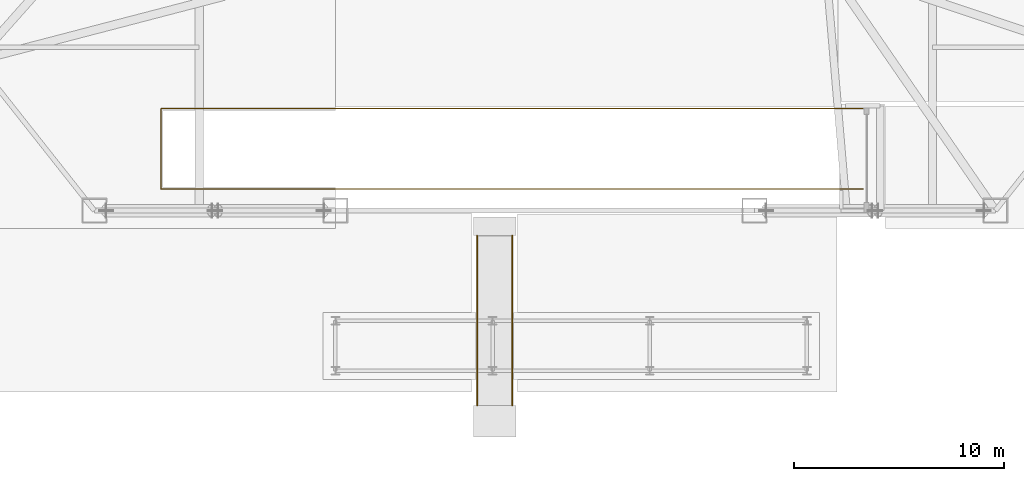
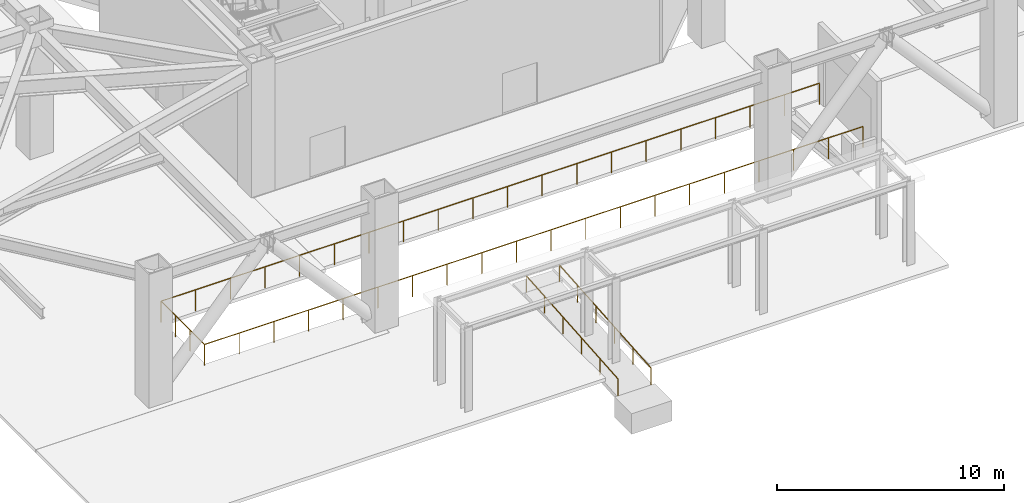
# One storey, part 12 of 14: 3 railings.
"""IFC4 building model written with IfcOpenShell, lengths in metres."""

from ifc_helpers import new_model, si_unit, direction, frame, origin, origin_2d, place, context, subcontext, project, spatial, circle, extrude, material, type_object, element, save


model = new_model("IFC4")

# Units and contexts
model_context = context("Model", 3, precision=1e-05, world=origin(), true_north=direction((0.0, 1.0)))
body_context = subcontext(model_context, "Body", "Model", "MODEL_VIEW")
ifc_project = project(units=[si_unit("LENGTHUNIT", "METRE"), si_unit("AREAUNIT", "SQUARE_METRE"), si_unit("VOLUMEUNIT", "CUBIC_METRE"), si_unit("PLANEANGLEUNIT", "RADIAN"), si_unit("MASSUNIT", "GRAM", prefix="KILO")], contexts=[model_context])

# Site, building, storey
site_placement = place(None, origin())
site = spatial("IfcSite", under=ifc_project, at=site_placement, CompositionType="ELEMENT")
building_placement = place(site_placement, origin())
building = spatial("IfcBuilding", under=site, at=building_placement, Name="Khamvora Tower", CompositionType="ELEMENT")
storey_placement = place(building_placement, origin())
storey = spatial("IfcBuildingStorey", under=building, at=storey_placement, Name="L00", CompositionType="ELEMENT", Elevation=0.0)

# Railings
ifc_material_1 = material(Name="Stainless Steel 316", Category="steel")
railing_type_1 = type_object("IfcRailingType", Name="RAL-EHDR-920", PredefinedType="HANDRAIL", material=ifc_material_1)
for number, where, name in (
    (1, (26.43994140625, -8.449951171875, -0.64990234375), "South Entrance Step-Free Accessible Ramp RMP-01 handrail 1"),
    (2, (24.760009765625, -8.449951171875, -0.64990234375), "South Entrance Step-Free Accessible Ramp RMP-01 handrail 2"),
):
    element("IfcRailing", number, at=place(storey_placement, frame(where)), inside=storey, type_object=railing_type_1, Name=name, PredefinedType="HANDRAIL", context=body_context, shape_type="SweptSolid", body=[
        extrude(circle(Radius=0.02392578125, at=origin_2d()), frame((0.0, 0.0, 0.89599609375), z_axis=(0.0, 0.996796526791, 0.079979273422), x_axis=(-1.0, 0.0, 0.0)), (0.0, 0.0, 1.0), 8.1259765625),
        extrude(circle(Radius=0.02099609375, at=origin_2d()), origin(), (0.0, 0.0, 1.0), 0.871826171875),
        extrude(circle(Radius=0.02099609375, at=origin_2d()), frame((0.0, 1.619873046875, 0.1298828125)), (0.0, 0.0, 1.0), 0.871826171875),
        extrude(circle(Radius=0.02099609375, at=origin_2d()), frame((0.0, 3.239990234375, 0.260009765625)), (0.0, 0.0, 1.0), 0.871826171875),
        extrude(circle(Radius=0.02099609375, at=origin_2d()), frame((0.0, 4.85986328125, 0.389892578125)), (0.0, 0.0, 1.0), 0.871826171875),
        extrude(circle(Radius=0.02099609375, at=origin_2d()), frame((0.0, 6.47998046875, 0.52001953125)), (0.0, 0.0, 1.0), 0.871826171875),
        extrude(circle(Radius=0.02099609375, at=origin_2d()), frame((0.0, 8.099853515625, 0.64990234375)), (0.0, 0.0, 1.0), 0.871826171875),
    ])
ifc_material_2 = material(Name="Laminated Structural Safety Glass and Stainless Steel", Category="steel")
railing_type_2 = type_object("IfcRailingType", Name="RAL-POOL-1150", PredefinedType="BALUSTRADE", material=ifc_material_2)
railing_placement = place(storey_placement, frame((43.179931640625, 1.8798828125, 0.0)))
element("IfcRailing", 3, at=railing_placement, inside=storey, type_object=railing_type_2, Name="L00 vehicle ramp trough perimeter safety balustrade", PredefinedType="BALUSTRADE", context=body_context, shape_type="SweptSolid", body=[
    extrude(circle(Radius=0.02392578125, at=origin_2d()), frame((0.0, 0.0, 1.1259765625), z_axis=(-1.0, 0.0, 0.0), x_axis=(0.0, -1.0, 0.0)), (0.0, 0.0, 1.0), 33.5),
    extrude(circle(Radius=0.02392578125, at=origin_2d()), frame((-33.5, 0.0, 1.1259765625), z_axis=(0.0, 1.0, 0.0), x_axis=(-1.0, 0.0, 0.0)), (0.0, 0.0, 1.0), 3.840087890625),
    extrude(circle(Radius=0.02392578125, at=origin_2d()), frame((-33.5, 3.840087890625, 1.1259765625), z_axis=(1.0, 0.0, 0.0), x_axis=(0.0, 1.0, 0.0)), (0.0, 0.0, 1.0), 33.5),
    extrude(circle(Radius=0.02099609375, at=origin_2d()), origin(), (0.0, 0.0, 1.0), 1.101806640625),
    extrude(circle(Radius=0.02099609375, at=origin_2d()), frame((-1.76318359375, 0.0, 0.0)), (0.0, 0.0, 1.0), 1.101806640625),
    extrude(circle(Radius=0.02099609375, at=origin_2d()), frame((-3.5263671875, 0.0, 0.0)), (0.0, 0.0, 1.0), 1.101806640625),
    extrude(circle(Radius=0.02099609375, at=origin_2d()), frame((-5.28955078125, 0.0, 0.0)), (0.0, 0.0, 1.0), 1.101806640625),
    extrude(circle(Radius=0.02099609375, at=origin_2d()), frame((-7.052734375, 0.0, 0.0)), (0.0, 0.0, 1.0), 1.101806640625),
    extrude(circle(Radius=0.02099609375, at=origin_2d()), frame((-8.815673828125, 0.0, 0.0)), (0.0, 0.0, 1.0), 1.101806640625),
    extrude(circle(Radius=0.02099609375, at=origin_2d()), frame((-10.578857421875, 0.0, 0.0)), (0.0, 0.0, 1.0), 1.101806640625),
    extrude(circle(Radius=0.02099609375, at=origin_2d()), frame((-12.342041015625, 0.0, 0.0)), (0.0, 0.0, 1.0), 1.101806640625),
    extrude(circle(Radius=0.02099609375, at=origin_2d()), frame((-14.105224609375, 0.0, 0.0)), (0.0, 0.0, 1.0), 1.101806640625),
    extrude(circle(Radius=0.02099609375, at=origin_2d()), frame((-15.868408203125, 0.0, 0.0)), (0.0, 0.0, 1.0), 1.101806640625),
    extrude(circle(Radius=0.02099609375, at=origin_2d()), frame((-17.631591796875, 0.0, 0.0)), (0.0, 0.0, 1.0), 1.101806640625),
    extrude(circle(Radius=0.02099609375, at=origin_2d()), frame((-19.394775390625, 0.0, 0.0)), (0.0, 0.0, 1.0), 1.101806640625),
    extrude(circle(Radius=0.02099609375, at=origin_2d()), frame((-21.157958984375, 0.0, 0.0)), (0.0, 0.0, 1.0), 1.101806640625),
    extrude(circle(Radius=0.02099609375, at=origin_2d()), frame((-22.921142578125, 0.0, 0.0)), (0.0, 0.0, 1.0), 1.101806640625),
    extrude(circle(Radius=0.02099609375, at=origin_2d()), frame((-24.684326171875, 0.0, 0.0)), (0.0, 0.0, 1.0), 1.101806640625),
    extrude(circle(Radius=0.02099609375, at=origin_2d()), frame((-26.447265625, 0.0, 0.0)), (0.0, 0.0, 1.0), 1.101806640625),
    extrude(circle(Radius=0.02099609375, at=origin_2d()), frame((-28.21044921875, 0.0, 0.0)), (0.0, 0.0, 1.0), 1.101806640625),
    extrude(circle(Radius=0.02099609375, at=origin_2d()), frame((-29.9736328125, 0.0, 0.0)), (0.0, 0.0, 1.0), 1.101806640625),
    extrude(circle(Radius=0.02099609375, at=origin_2d()), frame((-31.73681640625, 0.0, 0.0)), (0.0, 0.0, 1.0), 1.101806640625),
    extrude(circle(Radius=0.02099609375, at=origin_2d()), frame((-33.5, 0.0, 0.0)), (0.0, 0.0, 1.0), 1.101806640625),
    extrude(circle(Radius=0.02099609375, at=origin_2d()), frame((-33.5, 1.280029296875, 0.0)), (0.0, 0.0, 1.0), 1.101806640625),
    extrude(circle(Radius=0.02099609375, at=origin_2d()), frame((-33.5, 2.56005859375, 0.0)), (0.0, 0.0, 1.0), 1.101806640625),
    extrude(circle(Radius=0.02099609375, at=origin_2d()), frame((-33.5, 3.840087890625, 0.0)), (0.0, 0.0, 1.0), 1.101806640625),
    extrude(circle(Radius=0.02099609375, at=origin_2d()), frame((-31.73681640625, 3.840087890625, 0.0)), (0.0, 0.0, 1.0), 1.101806640625),
    extrude(circle(Radius=0.02099609375, at=origin_2d()), frame((-29.9736328125, 3.840087890625, 0.0)), (0.0, 0.0, 1.0), 1.101806640625),
    extrude(circle(Radius=0.02099609375, at=origin_2d()), frame((-28.21044921875, 3.840087890625, 0.0)), (0.0, 0.0, 1.0), 1.101806640625),
    extrude(circle(Radius=0.02099609375, at=origin_2d()), frame((-26.447265625, 3.840087890625, 0.0)), (0.0, 0.0, 1.0), 1.101806640625),
    extrude(circle(Radius=0.02099609375, at=origin_2d()), frame((-24.684326171875, 3.840087890625, 0.0)), (0.0, 0.0, 1.0), 1.101806640625),
    extrude(circle(Radius=0.02099609375, at=origin_2d()), frame((-22.921142578125, 3.840087890625, 0.0)), (0.0, 0.0, 1.0), 1.101806640625),
    extrude(circle(Radius=0.02099609375, at=origin_2d()), frame((-21.157958984375, 3.840087890625, 0.0)), (0.0, 0.0, 1.0), 1.101806640625),
    extrude(circle(Radius=0.02099609375, at=origin_2d()), frame((-19.394775390625, 3.840087890625, 0.0)), (0.0, 0.0, 1.0), 1.101806640625),
    extrude(circle(Radius=0.02099609375, at=origin_2d()), frame((-17.631591796875, 3.840087890625, 0.0)), (0.0, 0.0, 1.0), 1.101806640625),
    extrude(circle(Radius=0.02099609375, at=origin_2d()), frame((-15.868408203125, 3.840087890625, 0.0)), (0.0, 0.0, 1.0), 1.101806640625),
    extrude(circle(Radius=0.02099609375, at=origin_2d()), frame((-14.105224609375, 3.840087890625, 0.0)), (0.0, 0.0, 1.0), 1.101806640625),
    extrude(circle(Radius=0.02099609375, at=origin_2d()), frame((-12.342041015625, 3.840087890625, 0.0)), (0.0, 0.0, 1.0), 1.101806640625),
    extrude(circle(Radius=0.02099609375, at=origin_2d()), frame((-10.578857421875, 3.840087890625, 0.0)), (0.0, 0.0, 1.0), 1.101806640625),
    extrude(circle(Radius=0.02099609375, at=origin_2d()), frame((-8.815673828125, 3.840087890625, 0.0)), (0.0, 0.0, 1.0), 1.101806640625),
    extrude(circle(Radius=0.02099609375, at=origin_2d()), frame((-7.052734375, 3.840087890625, 0.0)), (0.0, 0.0, 1.0), 1.101806640625),
    extrude(circle(Radius=0.02099609375, at=origin_2d()), frame((-5.28955078125, 3.840087890625, 0.0)), (0.0, 0.0, 1.0), 1.101806640625),
    extrude(circle(Radius=0.02099609375, at=origin_2d()), frame((-3.5263671875, 3.840087890625, 0.0)), (0.0, 0.0, 1.0), 1.101806640625),
    extrude(circle(Radius=0.02099609375, at=origin_2d()), frame((-1.76318359375, 3.840087890625, 0.0)), (0.0, 0.0, 1.0), 1.101806640625),
    extrude(circle(Radius=0.02099609375, at=origin_2d()), frame((0.0, 3.840087890625, 0.0)), (0.0, 0.0, 1.0), 1.101806640625),
])

save(model, "model.ifc")
